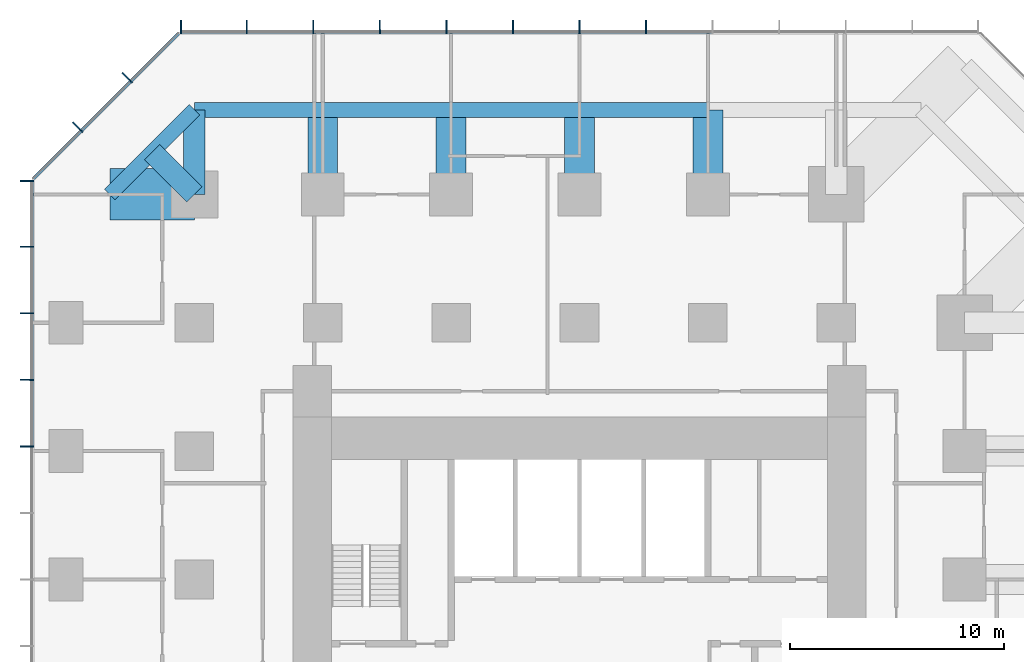
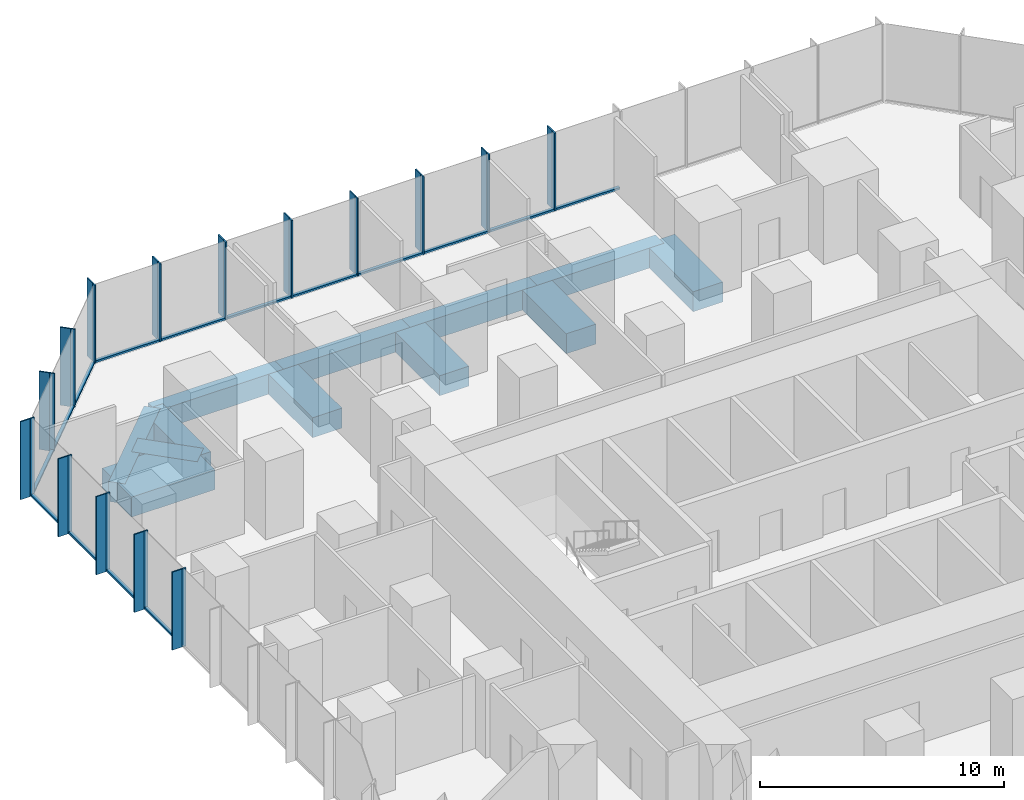
# One storey, part 5 of 12: 45 members, 12 beams, 3 elements without a shape of their own.
"""IFC4 building model written with IfcOpenShell, lengths in metres."""

from ifc_helpers import new_model, si_unit, direction, frame, origin, origin_2d, place, context, subcontext, project, spatial, rectangle, extrude, material, layer, layer_set, material_profile, profile_set, type_object, element, aggregate, save


model = new_model("IFC4")

# Units and contexts
model_context = context("Model", 3, precision=1e-05, world=origin(), true_north=direction((0.0, 1.0)))
body_context = subcontext(model_context, "Body", "Model", "MODEL_VIEW")
ifc_project = project(units=[si_unit("LENGTHUNIT", "METRE"), si_unit("AREAUNIT", "SQUARE_METRE"), si_unit("VOLUMEUNIT", "CUBIC_METRE"), si_unit("PLANEANGLEUNIT", "RADIAN"), si_unit("MASSUNIT", "GRAM", prefix="KILO")], contexts=[model_context])

# Site, building, storey
site_placement = place(None, origin())
site = spatial("IfcSite", under=ifc_project, at=site_placement, CompositionType="ELEMENT")
building_placement = place(site_placement, origin())
building = spatial("IfcBuilding", under=site, at=building_placement, Name="Highveld Stack Headquarters", CompositionType="ELEMENT")
storey_placement = place(building_placement, frame((0.0, 0.0, 68.89990234375)))
storey = spatial("IfcBuildingStorey", under=building, at=storey_placement, Name="L16", CompositionType="ELEMENT", Elevation=68.89990234375)

# Beams
ifc_material_1 = material(Name="Concrete C60/75", Category="concrete")
ifc_material_profile_1 = material_profile(ifc_material_1, rectangle(XDim=1.0, YDim=1.0, at=origin_2d()), Name="RC 1000x1000")
ifc_profile_set_1 = profile_set([ifc_material_profile_1], Name="Concrete C60/75")
beam_type_1 = type_object("IfcBeamType", Name="CANTILEVER RIB RC 1000x1000", PredefinedType="USERDEFINED", material=ifc_profile_set_1)
beam_1_placement = place(storey_placement, frame((-12.0, 24.0, -0.75), z_axis=(0.0, 1.0, 0.0), x_axis=(-1.0, 0.0, 0.0)))
element("IfcBeam", 1, at=beam_1_placement, inside=storey, type_object=beam_type_1, Name="Cantilever rib 4/J L16", ObjectType="CANTILEVER RIB", PredefinedType="USERDEFINED", context=body_context, shape_type="SweptSolid", body=[
    extrude(rectangle(XDim=1.0, YDim=1.0, at=origin_2d()), origin(), (0.0, 0.0, 1.0), 3.949951171875),
])
beam_2_placement = place(storey_placement, frame((-12.0, 24.0, -0.75), z_axis=(-0.707106781187, 0.707106781187, 0.0), x_axis=(-0.707106781187, -0.707106781187, 0.0)))
element("IfcBeam", 2, at=beam_2_placement, inside=storey, type_object=beam_type_1, Name="Cantilever rib 4/J L16", ObjectType="CANTILEVER RIB", PredefinedType="USERDEFINED", context=body_context, shape_type="SweptSolid", body=[
    extrude(rectangle(XDim=1.0, YDim=1.0, at=origin_2d()), origin(), (0.0, 0.0, 1.0), 2.793212890625),
])
ifc_material_2 = material(Name="Concrete C60/75", Category="concrete")
ifc_material_profile_2 = material_profile(ifc_material_2, rectangle(XDim=1.39990234375, YDim=1.0, at=origin_2d()), Name="RC 1400x1000")
ifc_profile_set_2 = profile_set([ifc_material_profile_2], Name="Concrete C60/75")
beam_type_2 = type_object("IfcBeamType", Name="CANTILEVER RIB RC 1400x1000", PredefinedType="USERDEFINED", material=ifc_profile_set_2)
for number, where, z_axis, x_axis, name in (
    (3, (-6.0, 24.0, -0.75), (0.0, 1.0, 0.0), (-1.0, 0.0, 0.0), "Cantilever rib 5/J L16"),
    (4, (0.0, 24.0, -0.75), (0.0, 1.0, 0.0), (-1.0, 0.0, 0.0), "Cantilever rib 6/J L16"),
    (5, (6.0, 24.0, -0.75), (0.0, 1.0, 0.0), (-1.0, 0.0, 0.0), "Cantilever rib 7/J L16"),
    (6, (12.0, 24.0, -0.75), (0.0, 1.0, 0.0), (-1.0, 0.0, 0.0), "Cantilever rib 8/J L16"),
):
    element("IfcBeam", number, at=place(storey_placement, frame(where, z_axis=z_axis, x_axis=x_axis)), inside=storey, type_object=beam_type_2, Name=name, ObjectType="CANTILEVER RIB", PredefinedType="USERDEFINED", context=body_context, shape_type="SweptSolid", body=[
        extrude(rectangle(XDim=1.39990234375, YDim=1.0, at=origin_2d()), origin(), (0.0, 0.0, 1.0), 3.949951171875),
    ])
ifc_material_3 = material(Name="Concrete C60/75", Category="concrete")
ifc_material_profile_3 = material_profile(ifc_material_3, rectangle(XDim=2.39990234375, YDim=1.0, at=origin_2d()), Name="RC 2400x1000")
ifc_profile_set_3 = profile_set([ifc_material_profile_3], Name="Concrete C60/75")
beam_type_3 = type_object("IfcBeamType", Name="CANTILEVER RIB RC 2400x1000", PredefinedType="USERDEFINED", material=ifc_profile_set_3)
beam_3_placement = place(storey_placement, frame((-12.0, 24.0, -0.75), z_axis=(-1.0, 0.0, 0.0), x_axis=(0.0, -1.0, 0.0)))
element("IfcBeam", 7, at=beam_3_placement, inside=storey, type_object=beam_type_3, Name="Cantilever rib 4/J L16", ObjectType="CANTILEVER RIB", PredefinedType="USERDEFINED", context=body_context, shape_type="SweptSolid", body=[
    extrude(rectangle(XDim=2.39990234375, YDim=1.0, at=origin_2d()), origin(), (0.0, 0.0, 1.0), 3.949951171875),
])

# Curtain wall, members
ifc_material_4 = material(Name="Aluminium bronze anodised", Category="aluminium")
ifc_layer_1 = layer(ifc_material_4, 0.199951171875)
ifc_layer_set_1 = layer_set([ifc_layer_1], Name="Aluminium bronze anodised")
curtain_wall_type_1 = type_object("IfcCurtainWallType", Name="CW1 TOWER UNITISED CURTAIN WALL", PredefinedType="NOTDEFINED", material=ifc_layer_set_1)
curtain_wall_1_placement = place(storey_placement, origin())
curtain_wall_1 = element("IfcCurtainWall", 8, at=curtain_wall_1_placement, inside=storey, type_object=curtain_wall_type_1, Name="Curtain wall CW1 L16 N", PredefinedType="NOTDEFINED")
ifc_material_5 = material(Name="Aluminium bronze anodised", Category="aluminium")
ifc_material_profile_4 = material_profile(ifc_material_5, rectangle(XDim=0.449951171875, YDim=0.06005859375, at=origin_2d()), Name="FIN 450x60")
ifc_profile_set_4 = profile_set([ifc_material_profile_4], Name="Aluminium bronze anodised")
member_type_1 = type_object("IfcMemberType", Name="CW1 BRONZE FIN 450x60", PredefinedType="USERDEFINED", material=ifc_profile_set_4)
member_1_placement = place(storey_placement, frame((9.110595703125, 31.925048828125, 0.0), z_axis=(0.0, 0.0, 1.0), x_axis=(0.0, -1.0, 0.0)))
member_1 = element("IfcMember", 9, at=member_1_placement, type_object=member_type_1, Name="CW1 fin L16 6", ObjectType="FIN", PredefinedType="USERDEFINED", context=body_context, shape_type="SweptSolid", body=[
    extrude(rectangle(XDim=0.449951171875, YDim=0.06005859375, at=origin_2d()), origin(), (0.0, 0.0, 1.0), 3.900146484375),
])
member_2_placement = place(storey_placement, frame((6.0, 31.925048828125, 0.0), z_axis=(0.0, 0.0, 1.0), x_axis=(0.0, -1.0, 0.0)))
member_2 = element("IfcMember", 10, at=member_2_placement, type_object=member_type_1, Name="CW1 fin L16 7", ObjectType="FIN", PredefinedType="USERDEFINED", context=body_context, shape_type="SweptSolid", body=[
    extrude(rectangle(XDim=0.449951171875, YDim=0.06005859375, at=origin_2d()), origin(), (0.0, 0.0, 1.0), 3.900146484375),
])
member_3_placement = place(storey_placement, frame((2.889404296875, 31.925048828125, 0.0), z_axis=(0.0, 0.0, 1.0), x_axis=(0.0, -1.0, 0.0)))
member_3 = element("IfcMember", 11, at=member_3_placement, type_object=member_type_1, Name="CW1 fin L16 8", ObjectType="FIN", PredefinedType="USERDEFINED", context=body_context, shape_type="SweptSolid", body=[
    extrude(rectangle(XDim=0.449951171875, YDim=0.06005859375, at=origin_2d()), origin(), (0.0, 0.0, 1.0), 3.900146484375),
])
member_4_placement = place(storey_placement, frame((-0.220947265625, 31.925048828125, 0.0), z_axis=(0.0, 0.0, 1.0), x_axis=(0.0, -1.0, 0.0)))
member_4 = element("IfcMember", 12, at=member_4_placement, type_object=member_type_1, Name="CW1 fin L16 9", ObjectType="FIN", PredefinedType="USERDEFINED", context=body_context, shape_type="SweptSolid", body=[
    extrude(rectangle(XDim=0.449951171875, YDim=0.06005859375, at=origin_2d()), origin(), (0.0, 0.0, 1.0), 3.900146484375),
])
member_5_placement = place(storey_placement, frame((-3.331298828125, 31.925048828125, 0.0), z_axis=(0.0, 0.0, 1.0), x_axis=(0.0, -1.0, 0.0)))
member_5 = element("IfcMember", 13, at=member_5_placement, type_object=member_type_1, Name="CW1 fin L16 10", ObjectType="FIN", PredefinedType="USERDEFINED", context=body_context, shape_type="SweptSolid", body=[
    extrude(rectangle(XDim=0.449951171875, YDim=0.06005859375, at=origin_2d()), origin(), (0.0, 0.0, 1.0), 3.900146484375),
])
member_6_placement = place(storey_placement, frame((-6.44189453125, 31.925048828125, 0.0), z_axis=(0.0, 0.0, 1.0), x_axis=(0.0, -1.0, 0.0)))
member_6 = element("IfcMember", 14, at=member_6_placement, type_object=member_type_1, Name="CW1 fin L16 11", ObjectType="FIN", PredefinedType="USERDEFINED", context=body_context, shape_type="SweptSolid", body=[
    extrude(rectangle(XDim=0.449951171875, YDim=0.06005859375, at=origin_2d()), origin(), (0.0, 0.0, 1.0), 3.900146484375),
])
member_7_placement = place(storey_placement, frame((-9.55224609375, 31.925048828125, 0.0), z_axis=(0.0, 0.0, 1.0), x_axis=(0.0, -1.0, 0.0)))
member_7 = element("IfcMember", 15, at=member_7_placement, type_object=member_type_1, Name="CW1 fin L16 12", ObjectType="FIN", PredefinedType="USERDEFINED", context=body_context, shape_type="SweptSolid", body=[
    extrude(rectangle(XDim=0.449951171875, YDim=0.06005859375, at=origin_2d()), origin(), (0.0, 0.0, 1.0), 3.900146484375),
])
member_8_placement = place(storey_placement, frame((-12.630126953125, 31.925048828125, 0.0), z_axis=(0.0, 0.0, 1.0), x_axis=(0.0, -1.0, 0.0)))
member_8 = element("IfcMember", 16, at=member_8_placement, type_object=member_type_1, Name="CW1 fin L16 13", ObjectType="FIN", PredefinedType="USERDEFINED", context=body_context, shape_type="SweptSolid", body=[
    extrude(rectangle(XDim=0.449951171875, YDim=0.06005859375, at=origin_2d()), origin(), (0.0, 0.0, 1.0), 3.900146484375),
])

curtain_wall_2_placement = place(storey_placement, origin())
curtain_wall_2 = element("IfcCurtainWall", 17, at=curtain_wall_2_placement, inside=storey, type_object=curtain_wall_type_1, Name="Curtain wall CW1 L16 W", PredefinedType="NOTDEFINED")
member_9_placement = place(storey_placement, frame((-19.925048828125, 24.630126953125, 0.0), z_axis=(0.0, 0.0, 1.0), x_axis=(1.0, 0.0, 0.0)))
member_9 = element("IfcMember", 18, at=member_9_placement, type_object=member_type_1, Name="CW1 fin L16 1", ObjectType="FIN", PredefinedType="USERDEFINED", context=body_context, shape_type="SweptSolid", body=[
    extrude(rectangle(XDim=0.449951171875, YDim=0.06005859375, at=origin_2d()), origin(), (0.0, 0.0, 1.0), 3.900146484375),
])
member_10_placement = place(storey_placement, frame((-19.925048828125, 21.55224609375, 0.0), z_axis=(0.0, 0.0, 1.0), x_axis=(1.0, 0.0, 0.0)))
member_10 = element("IfcMember", 19, at=member_10_placement, type_object=member_type_1, Name="CW1 fin L16 2", ObjectType="FIN", PredefinedType="USERDEFINED", context=body_context, shape_type="SweptSolid", body=[
    extrude(rectangle(XDim=0.449951171875, YDim=0.06005859375, at=origin_2d()), origin(), (0.0, 0.0, 1.0), 3.900146484375),
])
member_11_placement = place(storey_placement, frame((-19.925048828125, 18.44189453125, 0.0), z_axis=(0.0, 0.0, 1.0), x_axis=(1.0, 0.0, 0.0)))
member_11 = element("IfcMember", 20, at=member_11_placement, type_object=member_type_1, Name="CW1 fin L16 3", ObjectType="FIN", PredefinedType="USERDEFINED", context=body_context, shape_type="SweptSolid", body=[
    extrude(rectangle(XDim=0.449951171875, YDim=0.06005859375, at=origin_2d()), origin(), (0.0, 0.0, 1.0), 3.900146484375),
])
member_12_placement = place(storey_placement, frame((-19.925048828125, 15.331298828125, 0.0), z_axis=(0.0, 0.0, 1.0), x_axis=(1.0, 0.0, 0.0)))
member_12 = element("IfcMember", 21, at=member_12_placement, type_object=member_type_1, Name="CW1 fin L16 4", ObjectType="FIN", PredefinedType="USERDEFINED", context=body_context, shape_type="SweptSolid", body=[
    extrude(rectangle(XDim=0.449951171875, YDim=0.06005859375, at=origin_2d()), origin(), (0.0, 0.0, 1.0), 3.900146484375),
])
member_13_placement = place(storey_placement, frame((-19.925048828125, 12.220947265625, 0.0), z_axis=(0.0, 0.0, 1.0), x_axis=(1.0, 0.0, 0.0)))
member_13 = element("IfcMember", 22, at=member_13_placement, type_object=member_type_1, Name="CW1 fin L16 5", ObjectType="FIN", PredefinedType="USERDEFINED", context=body_context, shape_type="SweptSolid", body=[
    extrude(rectangle(XDim=0.449951171875, YDim=0.06005859375, at=origin_2d()), origin(), (0.0, 0.0, 1.0), 3.900146484375),
])

# Member
ifc_material_6 = material(Name="Aluminium bronze anodised", Category="aluminium")
ifc_material_profile_5 = material_profile(ifc_material_6, rectangle(XDim=0.199951171875, YDim=0.06494140625, at=origin_2d()), Name="CW1 MULLION 65x200")
ifc_profile_set_5 = profile_set([ifc_material_profile_5], Name="Aluminium bronze anodised")
member_type_2 = type_object("IfcMemberType", Name="CW1 MULLION 65x200", PredefinedType="MULLION", material=ifc_profile_set_5)
member_14_placement = place(storey_placement, frame((9.110595703125, 31.60009765625, 0.0), z_axis=(0.0, 0.0, 1.0), x_axis=(0.0, -1.0, 0.0)))
member_14 = element("IfcMember", 23, at=member_14_placement, type_object=member_type_2, Name="CW1 mullion L16 6", PredefinedType="MULLION", context=body_context, shape_type="SweptSolid", body=[
    extrude(rectangle(XDim=0.199951171875, YDim=0.06494140625, at=origin_2d()), origin(), (0.0, 0.0, 1.0), 3.900146484375),
])

member_15_placement = place(storey_placement, frame((6.0, 31.60009765625, 0.0), z_axis=(0.0, 0.0, 1.0), x_axis=(0.0, -1.0, 0.0)))
member_15 = element("IfcMember", 24, at=member_15_placement, type_object=member_type_2, Name="CW1 mullion L16 7", PredefinedType="MULLION", context=body_context, shape_type="SweptSolid", body=[
    extrude(rectangle(XDim=0.199951171875, YDim=0.06494140625, at=origin_2d()), origin(), (0.0, 0.0, 1.0), 3.900146484375),
])

member_16_placement = place(storey_placement, frame((2.889404296875, 31.60009765625, 0.0), z_axis=(0.0, 0.0, 1.0), x_axis=(0.0, -1.0, 0.0)))
member_16 = element("IfcMember", 25, at=member_16_placement, type_object=member_type_2, Name="CW1 mullion L16 8", PredefinedType="MULLION", context=body_context, shape_type="SweptSolid", body=[
    extrude(rectangle(XDim=0.199951171875, YDim=0.06494140625, at=origin_2d()), origin(), (0.0, 0.0, 1.0), 3.900146484375),
])

member_17_placement = place(storey_placement, frame((-0.220947265625, 31.60009765625, 0.0), z_axis=(0.0, 0.0, 1.0), x_axis=(0.0, -1.0, 0.0)))
member_17 = element("IfcMember", 26, at=member_17_placement, type_object=member_type_2, Name="CW1 mullion L16 9", PredefinedType="MULLION", context=body_context, shape_type="SweptSolid", body=[
    extrude(rectangle(XDim=0.199951171875, YDim=0.06494140625, at=origin_2d()), origin(), (0.0, 0.0, 1.0), 3.900146484375),
])

member_18_placement = place(storey_placement, frame((-3.331298828125, 31.60009765625, 0.0), z_axis=(0.0, 0.0, 1.0), x_axis=(0.0, -1.0, 0.0)))
member_18 = element("IfcMember", 27, at=member_18_placement, type_object=member_type_2, Name="CW1 mullion L16 10", PredefinedType="MULLION", context=body_context, shape_type="SweptSolid", body=[
    extrude(rectangle(XDim=0.199951171875, YDim=0.06494140625, at=origin_2d()), origin(), (0.0, 0.0, 1.0), 3.900146484375),
])

member_19_placement = place(storey_placement, frame((-6.44189453125, 31.60009765625, 0.0), z_axis=(0.0, 0.0, 1.0), x_axis=(0.0, -1.0, 0.0)))
member_19 = element("IfcMember", 28, at=member_19_placement, type_object=member_type_2, Name="CW1 mullion L16 11", PredefinedType="MULLION", context=body_context, shape_type="SweptSolid", body=[
    extrude(rectangle(XDim=0.199951171875, YDim=0.06494140625, at=origin_2d()), origin(), (0.0, 0.0, 1.0), 3.900146484375),
])

member_20_placement = place(storey_placement, frame((-9.55224609375, 31.60009765625, 0.0), z_axis=(0.0, 0.0, 1.0), x_axis=(0.0, -1.0, 0.0)))
member_20 = element("IfcMember", 29, at=member_20_placement, type_object=member_type_2, Name="CW1 mullion L16 12", PredefinedType="MULLION", context=body_context, shape_type="SweptSolid", body=[
    extrude(rectangle(XDim=0.199951171875, YDim=0.06494140625, at=origin_2d()), origin(), (0.0, 0.0, 1.0), 3.900146484375),
])

member_21_placement = place(storey_placement, frame((-12.630126953125, 31.60009765625, 0.0), z_axis=(0.0, 0.0, 1.0), x_axis=(0.0, -1.0, 0.0)))
member_21 = element("IfcMember", 30, at=member_21_placement, type_object=member_type_2, Name="CW1 mullion L16 13", PredefinedType="MULLION", context=body_context, shape_type="SweptSolid", body=[
    extrude(rectangle(XDim=0.199951171875, YDim=0.06494140625, at=origin_2d()), origin(), (0.0, 0.0, 1.0), 3.900146484375),
])

member_22_placement = place(storey_placement, frame((-19.60009765625, 24.630126953125, 0.0), z_axis=(0.0, 0.0, 1.0), x_axis=(1.0, 0.0, 0.0)))
member_22 = element("IfcMember", 31, at=member_22_placement, type_object=member_type_2, Name="CW1 mullion L16 1", PredefinedType="MULLION", context=body_context, shape_type="SweptSolid", body=[
    extrude(rectangle(XDim=0.199951171875, YDim=0.06494140625, at=origin_2d()), origin(), (0.0, 0.0, 1.0), 3.900146484375),
])

member_23_placement = place(storey_placement, frame((-19.60009765625, 21.55224609375, 0.0), z_axis=(0.0, 0.0, 1.0), x_axis=(1.0, 0.0, 0.0)))
member_23 = element("IfcMember", 32, at=member_23_placement, type_object=member_type_2, Name="CW1 mullion L16 2", PredefinedType="MULLION", context=body_context, shape_type="SweptSolid", body=[
    extrude(rectangle(XDim=0.199951171875, YDim=0.06494140625, at=origin_2d()), origin(), (0.0, 0.0, 1.0), 3.900146484375),
])

member_24_placement = place(storey_placement, frame((-19.60009765625, 18.44189453125, 0.0), z_axis=(0.0, 0.0, 1.0), x_axis=(1.0, 0.0, 0.0)))
member_24 = element("IfcMember", 33, at=member_24_placement, type_object=member_type_2, Name="CW1 mullion L16 3", PredefinedType="MULLION", context=body_context, shape_type="SweptSolid", body=[
    extrude(rectangle(XDim=0.199951171875, YDim=0.06494140625, at=origin_2d()), origin(), (0.0, 0.0, 1.0), 3.900146484375),
])

member_25_placement = place(storey_placement, frame((-19.60009765625, 15.331298828125, 0.0), z_axis=(0.0, 0.0, 1.0), x_axis=(1.0, 0.0, 0.0)))
member_25 = element("IfcMember", 34, at=member_25_placement, type_object=member_type_2, Name="CW1 mullion L16 4", PredefinedType="MULLION", context=body_context, shape_type="SweptSolid", body=[
    extrude(rectangle(XDim=0.199951171875, YDim=0.06494140625, at=origin_2d()), origin(), (0.0, 0.0, 1.0), 3.900146484375),
])

member_26_placement = place(storey_placement, frame((-19.60009765625, 12.220947265625, 0.0), z_axis=(0.0, 0.0, 1.0), x_axis=(1.0, 0.0, 0.0)))
member_26 = element("IfcMember", 35, at=member_26_placement, type_object=member_type_2, Name="CW1 mullion L16 5", PredefinedType="MULLION", context=body_context, shape_type="SweptSolid", body=[
    extrude(rectangle(XDim=0.199951171875, YDim=0.06494140625, at=origin_2d()), origin(), (0.0, 0.0, 1.0), 3.900146484375),
])

ifc_material_7 = material(Name="Aluminium bronze anodised", Category="aluminium")
ifc_material_profile_6 = material_profile(ifc_material_7, rectangle(XDim=0.14990234375, YDim=0.10009765625, at=origin_2d()), Name="CW1 TRANSOM 150x100")
ifc_profile_set_6 = profile_set([ifc_material_profile_6], Name="Aluminium bronze anodised")
member_type_3 = type_object("IfcMemberType", Name="CW1 STACK TRANSOM 150x100", PredefinedType="USERDEFINED", material=ifc_profile_set_6)
member_27_placement = place(storey_placement, frame((12.1884765625, 31.60009765625, 0.050048828125), z_axis=(-1.0, 0.0, 0.0), x_axis=(0.0, -1.0, 0.0)))
member_27 = element("IfcMember", 36, at=member_27_placement, type_object=member_type_3, Name="CW1 transom L16 5.1", ObjectType="TRANSOM", PredefinedType="USERDEFINED", context=body_context, shape_type="SweptSolid", body=[
    extrude(rectangle(XDim=0.14990234375, YDim=0.10009765625, at=origin_2d()), origin(), (0.0, 0.0, 1.0), 3.04541015625),
])

member_28_placement = place(storey_placement, frame((9.077880859375, 31.60009765625, 0.050048828125), z_axis=(-1.0, 0.0, 0.0), x_axis=(0.0, -1.0, 0.0)))
member_28 = element("IfcMember", 37, at=member_28_placement, type_object=member_type_3, Name="CW1 transom L16 6.1", ObjectType="TRANSOM", PredefinedType="USERDEFINED", context=body_context, shape_type="SweptSolid", body=[
    extrude(rectangle(XDim=0.14990234375, YDim=0.10009765625, at=origin_2d()), origin(), (0.0, 0.0, 1.0), 3.04541015625),
])

member_29_placement = place(storey_placement, frame((5.967529296875, 31.60009765625, 0.050048828125), z_axis=(-1.0, 0.0, 0.0), x_axis=(0.0, -1.0, 0.0)))
member_29 = element("IfcMember", 38, at=member_29_placement, type_object=member_type_3, Name="CW1 transom L16 7.1", ObjectType="TRANSOM", PredefinedType="USERDEFINED", context=body_context, shape_type="SweptSolid", body=[
    extrude(rectangle(XDim=0.14990234375, YDim=0.10009765625, at=origin_2d()), origin(), (0.0, 0.0, 1.0), 3.04541015625),
])

member_30_placement = place(storey_placement, frame((2.857177734375, 31.60009765625, 0.050048828125), z_axis=(-1.0, 0.0, 0.0), x_axis=(0.0, -1.0, 0.0)))
member_30 = element("IfcMember", 39, at=member_30_placement, type_object=member_type_3, Name="CW1 transom L16 8.1", ObjectType="TRANSOM", PredefinedType="USERDEFINED", context=body_context, shape_type="SweptSolid", body=[
    extrude(rectangle(XDim=0.14990234375, YDim=0.10009765625, at=origin_2d()), origin(), (0.0, 0.0, 1.0), 3.045654296875),
])

member_31_placement = place(storey_placement, frame((-0.25341796875, 31.60009765625, 0.050048828125), z_axis=(-1.0, 0.0, 0.0), x_axis=(0.0, -1.0, 0.0)))
member_31 = element("IfcMember", 40, at=member_31_placement, type_object=member_type_3, Name="CW1 transom L16 9.1", ObjectType="TRANSOM", PredefinedType="USERDEFINED", context=body_context, shape_type="SweptSolid", body=[
    extrude(rectangle(XDim=0.14990234375, YDim=0.10009765625, at=origin_2d()), origin(), (0.0, 0.0, 1.0), 3.04541015625),
])

member_32_placement = place(storey_placement, frame((-3.36376953125, 31.60009765625, 0.050048828125), z_axis=(-1.0, 0.0, 0.0), x_axis=(0.0, -1.0, 0.0)))
member_32 = element("IfcMember", 41, at=member_32_placement, type_object=member_type_3, Name="CW1 transom L16 10.1", ObjectType="TRANSOM", PredefinedType="USERDEFINED", context=body_context, shape_type="SweptSolid", body=[
    extrude(rectangle(XDim=0.14990234375, YDim=0.10009765625, at=origin_2d()), origin(), (0.0, 0.0, 1.0), 3.04541015625),
])

member_33_placement = place(storey_placement, frame((-6.474365234375, 31.60009765625, 0.050048828125), z_axis=(-1.0, 0.0, 0.0), x_axis=(0.0, -1.0, 0.0)))
member_33 = element("IfcMember", 42, at=member_33_placement, type_object=member_type_3, Name="CW1 transom L16 11.1", ObjectType="TRANSOM", PredefinedType="USERDEFINED", context=body_context, shape_type="SweptSolid", body=[
    extrude(rectangle(XDim=0.14990234375, YDim=0.10009765625, at=origin_2d()), origin(), (0.0, 0.0, 1.0), 3.04541015625),
])

member_34_placement = place(storey_placement, frame((-9.584716796875, 31.60009765625, 0.050048828125), z_axis=(-1.0, 0.0, 0.0), x_axis=(0.0, -1.0, 0.0)))
member_34 = element("IfcMember", 43, at=member_34_placement, type_object=member_type_3, Name="CW1 transom L16 12.1", ObjectType="TRANSOM", PredefinedType="USERDEFINED", context=body_context, shape_type="SweptSolid", body=[
    extrude(rectangle(XDim=0.14990234375, YDim=0.10009765625, at=origin_2d()), origin(), (0.0, 0.0, 1.0), 3.012939453125),
])

aggregate(curtain_wall_1, [member_14, member_1, member_15, member_2, member_16, member_3, member_17, member_4, member_18, member_5, member_19, member_6, member_20, member_7, member_21, member_8, member_27, member_28, member_29, member_30, member_31, member_32, member_33, member_34])

member_35_placement = place(storey_placement, frame((-19.60009765625, 24.59765625, 0.050048828125), z_axis=(0.0, -1.0, 0.0), x_axis=(1.0, 0.0, 0.0)))
member_35 = element("IfcMember", 44, at=member_35_placement, type_object=member_type_3, Name="CW1 transom L16 1.1", ObjectType="TRANSOM", PredefinedType="USERDEFINED", context=body_context, shape_type="SweptSolid", body=[
    extrude(rectangle(XDim=0.14990234375, YDim=0.10009765625, at=origin_2d()), origin(), (0.0, 0.0, 1.0), 3.012939453125),
])

member_36_placement = place(storey_placement, frame((-19.60009765625, 21.519775390625, 0.050048828125), z_axis=(0.0, -1.0, 0.0), x_axis=(1.0, 0.0, 0.0)))
member_36 = element("IfcMember", 45, at=member_36_placement, type_object=member_type_3, Name="CW1 transom L16 2.1", ObjectType="TRANSOM", PredefinedType="USERDEFINED", context=body_context, shape_type="SweptSolid", body=[
    extrude(rectangle(XDim=0.14990234375, YDim=0.10009765625, at=origin_2d()), origin(), (0.0, 0.0, 1.0), 3.04541015625),
])

member_37_placement = place(storey_placement, frame((-19.60009765625, 18.4091796875, 0.050048828125), z_axis=(0.0, -1.0, 0.0), x_axis=(1.0, 0.0, 0.0)))
member_37 = element("IfcMember", 46, at=member_37_placement, type_object=member_type_3, Name="CW1 transom L16 3.1", ObjectType="TRANSOM", PredefinedType="USERDEFINED", context=body_context, shape_type="SweptSolid", body=[
    extrude(rectangle(XDim=0.14990234375, YDim=0.10009765625, at=origin_2d()), origin(), (0.0, 0.0, 1.0), 3.045166015625),
])

member_38_placement = place(storey_placement, frame((-19.60009765625, 15.298828125, 0.050048828125), z_axis=(0.0, -1.0, 0.0), x_axis=(1.0, 0.0, 0.0)))
member_38 = element("IfcMember", 47, at=member_38_placement, type_object=member_type_3, Name="CW1 transom L16 4.1", ObjectType="TRANSOM", PredefinedType="USERDEFINED", context=body_context, shape_type="SweptSolid", body=[
    extrude(rectangle(XDim=0.14990234375, YDim=0.10009765625, at=origin_2d()), origin(), (0.0, 0.0, 1.0), 3.04541015625),
])

aggregate(curtain_wall_2, [member_22, member_9, member_23, member_10, member_24, member_11, member_25, member_12, member_26, member_13, member_35, member_36, member_37, member_38])

# Curtain wall, members
ifc_material_8 = material(Name="Aluminium bronze anodised", Category="aluminium")
ifc_layer_2 = layer(ifc_material_8, 0.199951171875)
ifc_layer_set_2 = layer_set([ifc_layer_2], Name="Aluminium bronze anodised")
curtain_wall_type_2 = type_object("IfcCurtainWallType", Name="CW2 TOWER CHAMFER UNITISED CURTAIN WALL", PredefinedType="NOTDEFINED", material=ifc_layer_set_2)
curtain_wall_3_placement = place(storey_placement, origin())
curtain_wall_3 = element("IfcCurtainWall", 48, at=curtain_wall_3_placement, inside=storey, type_object=curtain_wall_type_2, Name="Curtain wall CW2 L16 NW", PredefinedType="NOTDEFINED")
ifc_material_9 = material(Name="Aluminium bronze anodised", Category="aluminium")
ifc_material_profile_7 = material_profile(ifc_material_9, rectangle(XDim=0.449951171875, YDim=0.06005859375, at=origin_2d()), Name="FIN 450x60")
ifc_profile_set_7 = profile_set([ifc_material_profile_7], Name="Aluminium bronze anodised")
member_type_4 = type_object("IfcMemberType", Name="CW2 BRONZE FIN 450x60", PredefinedType="USERDEFINED", material=ifc_profile_set_7)
member_39_placement = place(storey_placement, frame((-15.204833984375, 29.517333984375, 0.0), z_axis=(0.0, 0.0, 1.0), x_axis=(0.707106781187, -0.707106781187, 0.0)))
member_39 = element("IfcMember", 49, at=member_39_placement, type_object=member_type_4, Name="CW2 fin L16 1", ObjectType="FIN", PredefinedType="USERDEFINED", context=body_context, shape_type="SweptSolid", body=[
    extrude(rectangle(XDim=0.449951171875, YDim=0.06005859375, at=origin_2d()), origin(), (0.0, 0.0, 1.0), 3.900146484375),
])
member_40_placement = place(storey_placement, frame((-17.517333984375, 27.204833984375, 0.0), z_axis=(0.0, 0.0, 1.0), x_axis=(0.707106781187, -0.707106781187, 0.0)))
member_40 = element("IfcMember", 50, at=member_40_placement, type_object=member_type_4, Name="CW2 fin L16 2", ObjectType="FIN", PredefinedType="USERDEFINED", context=body_context, shape_type="SweptSolid", body=[
    extrude(rectangle(XDim=0.449951171875, YDim=0.06005859375, at=origin_2d()), origin(), (0.0, 0.0, 1.0), 3.900146484375),
])
ifc_material_10 = material(Name="Aluminium bronze anodised", Category="aluminium")
ifc_material_profile_8 = material_profile(ifc_material_10, rectangle(XDim=0.199951171875, YDim=0.06494140625, at=origin_2d()), Name="CW2 MULLION 65x200")
ifc_profile_set_8 = profile_set([ifc_material_profile_8], Name="Aluminium bronze anodised")
member_type_5 = type_object("IfcMemberType", Name="CW2 MULLION 65x200", PredefinedType="MULLION", material=ifc_profile_set_8)
member_41_placement = place(storey_placement, frame((-14.97509765625, 29.28759765625, 0.0), z_axis=(0.0, 0.0, 1.0), x_axis=(0.707106781187, -0.707106781187, 0.0)))
member_41 = element("IfcMember", 51, at=member_41_placement, type_object=member_type_5, Name="CW2 mullion L16 1", PredefinedType="MULLION", context=body_context, shape_type="SweptSolid", body=[
    extrude(rectangle(XDim=0.199951171875, YDim=0.06494140625, at=origin_2d()), origin(), (0.0, 0.0, 1.0), 3.900146484375),
])
member_42_placement = place(storey_placement, frame((-17.28759765625, 26.97509765625, 0.0), z_axis=(0.0, 0.0, 1.0), x_axis=(0.707106781187, -0.707106781187, 0.0)))
member_42 = element("IfcMember", 52, at=member_42_placement, type_object=member_type_5, Name="CW2 mullion L16 2", PredefinedType="MULLION", context=body_context, shape_type="SweptSolid", body=[
    extrude(rectangle(XDim=0.199951171875, YDim=0.06494140625, at=origin_2d()), origin(), (0.0, 0.0, 1.0), 3.900146484375),
])
ifc_material_11 = material(Name="Aluminium bronze anodised", Category="aluminium")
ifc_material_profile_9 = material_profile(ifc_material_11, rectangle(XDim=0.14990234375, YDim=0.10009765625, at=origin_2d()), Name="CW2 TRANSOM 150x100")
ifc_profile_set_9 = profile_set([ifc_material_profile_9], Name="Aluminium bronze anodised")
member_type_6 = type_object("IfcMemberType", Name="CW2 STACK TRANSOM 150x100", PredefinedType="USERDEFINED", material=ifc_profile_set_9)
member_43_placement = place(storey_placement, frame((-12.7333984375, 31.529296875, 0.050048828125), z_axis=(-0.707106781187, -0.707106781187, 0.0), x_axis=(0.707106781187, -0.707106781187, 0.0)))
member_43 = element("IfcMember", 53, at=member_43_placement, type_object=member_type_6, Name="CW2 transom L16 1.1", ObjectType="TRANSOM", PredefinedType="USERDEFINED", context=body_context, shape_type="SweptSolid", body=[
    extrude(rectangle(XDim=0.14990234375, YDim=0.10009765625, at=origin_2d()), origin(), (0.0, 0.0, 1.0), 3.1376953125),
])
member_44_placement = place(storey_placement, frame((-14.998046875, 29.2646484375, 0.050048828125), z_axis=(-0.707106781187, -0.707106781187, 0.0), x_axis=(0.707106781187, -0.707106781187, 0.0)))
member_44 = element("IfcMember", 54, at=member_44_placement, type_object=member_type_6, Name="CW2 transom L16 2.1", ObjectType="TRANSOM", PredefinedType="USERDEFINED", context=body_context, shape_type="SweptSolid", body=[
    extrude(rectangle(XDim=0.14990234375, YDim=0.10009765625, at=origin_2d()), origin(), (0.0, 0.0, 1.0), 3.20556640625),
])
member_45_placement = place(storey_placement, frame((-17.310546875, 26.9521484375, 0.050048828125), z_axis=(-0.707106781187, -0.707106781187, 0.0), x_axis=(0.707106781187, -0.707106781187, 0.0)))
member_45 = element("IfcMember", 55, at=member_45_placement, type_object=member_type_6, Name="CW2 transom L16 3.1", ObjectType="TRANSOM", PredefinedType="USERDEFINED", context=body_context, shape_type="SweptSolid", body=[
    extrude(rectangle(XDim=0.14990234375, YDim=0.10009765625, at=origin_2d()), origin(), (0.0, 0.0, 1.0), 3.1376953125),
])
aggregate(curtain_wall_3, [member_41, member_39, member_42, member_40, member_43, member_44, member_45])

# Beams
ifc_material_12 = material(Name="Concrete C60/75", Category="concrete")
ifc_material_profile_10 = material_profile(ifc_material_12, rectangle(XDim=0.699951171875, YDim=1.0, at=origin_2d()), Name="RC 700x1000")
ifc_profile_set_10 = profile_set([ifc_material_profile_10], Name="Concrete C60/75")
beam_type_4 = type_object("IfcBeamType", Name="RIB TIP BEAM RC 700x1000", PredefinedType="SPANDREL", material=ifc_profile_set_10)
for number, where, z_axis, x_axis, name in (
    (56, (-12.0, 27.949951171875, -0.75), (1.0, 0.0, 0.0), (0.0, 1.0, 0.0), "Rib tip beam 4/J to 5/J L16"),
    (57, (-6.0, 27.949951171875, -0.75), (1.0, 0.0, 0.0), (0.0, 1.0, 0.0), "Rib tip beam 5/J to 6/J L16"),
    (58, (0.0, 27.949951171875, -0.75), (1.0, 0.0, 0.0), (0.0, 1.0, 0.0), "Rib tip beam 6/J to 7/J L16"),
    (59, (6.0, 27.949951171875, -0.75), (1.0, 0.0, 0.0), (0.0, 1.0, 0.0), "Rib tip beam 7/J to 8/J L16"),
):
    element("IfcBeam", number, at=place(storey_placement, frame(where, z_axis=z_axis, x_axis=x_axis)), inside=storey, type_object=beam_type_4, Name=name, PredefinedType="SPANDREL", context=body_context, shape_type="SweptSolid", body=[
        extrude(rectangle(XDim=0.699951171875, YDim=1.0, at=origin_2d()), origin(), (0.0, 0.0, 1.0), 6.0),
    ])
beam_4_placement = place(storey_placement, frame((-15.949951171875, 24.0, -0.75), z_axis=(0.707106781187, 0.707106781187, 0.0), x_axis=(-0.707106781187, 0.707106781187, 0.0)))
element("IfcBeam", 60, at=beam_4_placement, inside=storey, type_object=beam_type_4, Name="Rib tip beam 4/J corner L16", PredefinedType="SPANDREL", context=body_context, shape_type="SweptSolid", body=[
    extrude(rectangle(XDim=0.699951171875, YDim=1.0, at=origin_2d()), origin(), (0.0, 0.0, 1.0), 5.586181640625),
])

save(model, "model.ifc")
